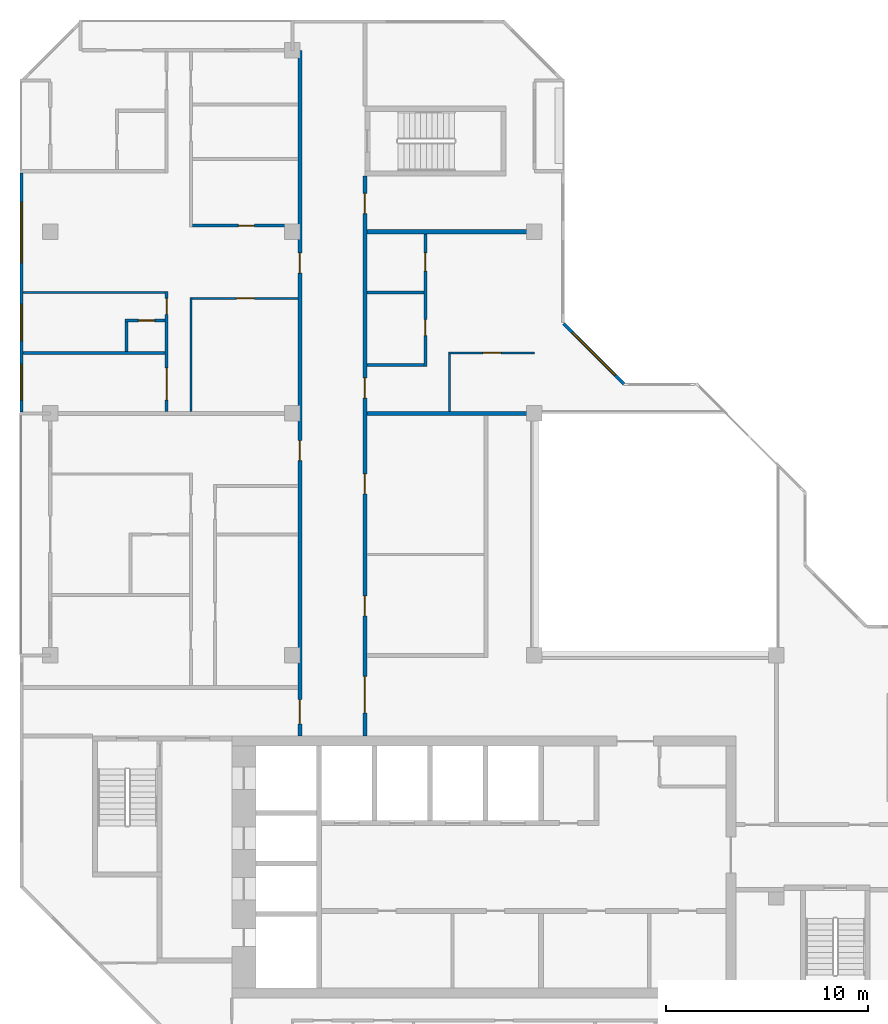
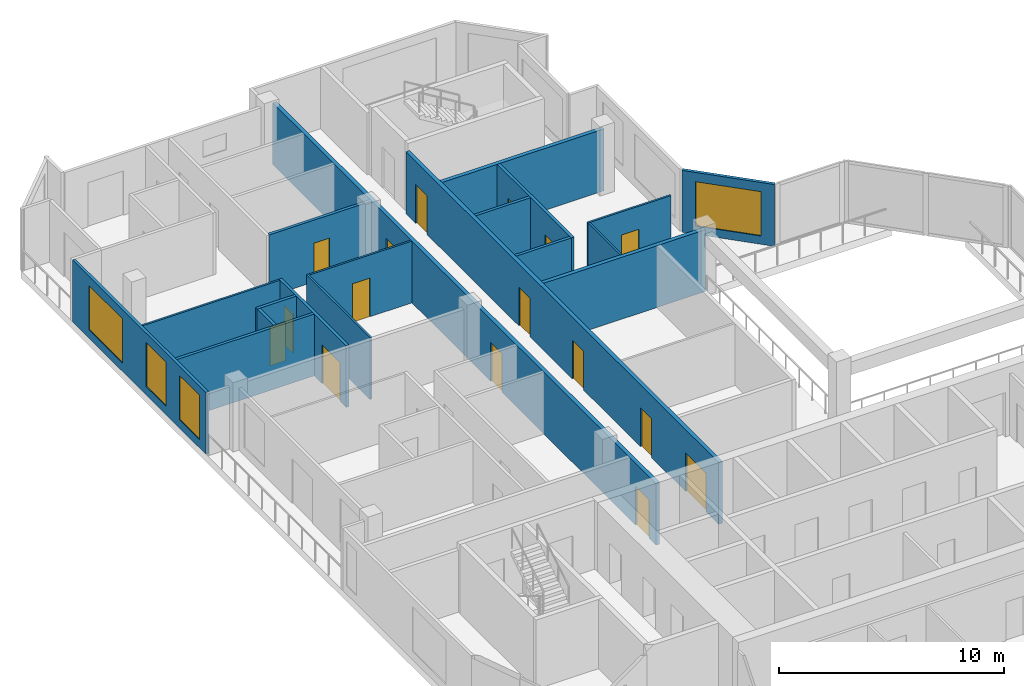
# One storey, part 8 of 12: 19 walls, 16 doors, 4 windows, 20 openings.
"""IFC4 building model written with IfcOpenShell, lengths in metres."""

import ifcopenshell
import ifcopenshell.guid

model = None  # the IFC model being written
_history = None  # IfcOwnerHistory: only IFC2X3 demands one
_inside = {}  # id of a spatial element -> (the spatial element, [elements in it])
_under = {}  # id of a project, library or spatial element -> (it, [spatial elements below it])
_declared = {}  # id of a project -> (the project, [libraries it declares])
_typed = {}  # id of a type object -> (the type object, [elements of that type])
_made_of = {}  # id of a material, layer set ... -> (it, [elements and type objects made of it])


def new_model(schema):
    """Start an empty IFC model of exactly this schema.

    Asked for "IFC4X3", IfcOpenShell would pick the latest addendum, in which some entities
    have other attributes; the version numbers below select the first issue.
    IFC2X3 requires an IfcOwnerHistory on every rooted entity: one is made here for all.
    """
    global model, _history
    if schema == "IFC4X3":
        model = ifcopenshell.file(schema_version=(4, 3, 0, 0))
    else:
        model = ifcopenshell.file(schema=schema)
    _inside.clear()
    _under.clear()
    _declared.clear()
    _typed.clear()
    _made_of.clear()
    _history = None
    if model.schema == "IFC2X3":
        org = make("IfcOrganization", Name="unknown")
        user = make(
            "IfcPersonAndOrganization",
            ThePerson=make("IfcPerson", FamilyName="unknown"),
            TheOrganization=org,
        )
        app = make(
            "IfcApplication",
            ApplicationDeveloper=org,
            Version="unknown",
            ApplicationFullName="unknown",
            ApplicationIdentifier="unknown",
        )
        _history = make(
            "IfcOwnerHistory",
            OwningUser=user,
            OwningApplication=app,
            ChangeAction="ADDED",
            CreationDate=0,
        )
    return model


def make(cls, **values):
    """One entity of the class cls with the attributes given. An attribute that is None is left unset."""
    return model.create_entity(
        cls, **{name: value for name, value in values.items() if value is not None}
    )


def rooted(cls, **values):
    """An entity with a GlobalId (a new one), such as an element, a storey or a relation."""
    return make(cls, GlobalId=ifcopenshell.guid.new(), OwnerHistory=_history, **values)


def si_unit(unit_type, name, prefix=None):
    """IfcSIUnit, for example si_unit("LENGTHUNIT", "METRE", prefix="MILLI")."""
    return make("IfcSIUnit", UnitType=unit_type, Prefix=prefix, Name=name)


def assignment(units):
    """IfcUnitAssignment: the units of a project."""
    return None if units is None else make("IfcUnitAssignment", Units=units)


def point(xyz):
    """IfcCartesianPoint."""
    return None if xyz is None else make("IfcCartesianPoint", Coordinates=xyz)


def direction(xyz):
    """IfcDirection."""
    return None if xyz is None else make("IfcDirection", DirectionRatios=xyz)


def frame(location, z_axis=None, x_axis=None):
    """IfcAxis2Placement3D, a coordinate frame: its origin and axes. An axis left out is left unset."""
    return make(
        "IfcAxis2Placement3D",
        Location=point(location),
        Axis=direction(z_axis),
        RefDirection=direction(x_axis),
    )


def frame_2d(location, x_axis=None):
    """IfcAxis2Placement2D, a coordinate frame in the plane: its origin and x axis."""
    return make(
        "IfcAxis2Placement2D", Location=point(location), RefDirection=direction(x_axis)
    )


def origin():
    """The frame at (0, 0, 0) with its axes left unset."""
    return frame((0.0, 0.0, 0.0))


def place(relative_to, where):
    """IfcLocalPlacement: puts the frame where relative to a parent placement (None: the world)."""
    return make(
        "IfcLocalPlacement", PlacementRelTo=relative_to, RelativePlacement=where
    )


def context(
    kind, dimensions, precision=None, world=None, true_north=None, identifier=None
):
    """IfcGeometricRepresentationContext, for example the 3D "Model" context."""
    return make(
        "IfcGeometricRepresentationContext",
        ContextIdentifier=identifier,
        ContextType=kind,
        CoordinateSpaceDimension=dimensions,
        Precision=precision,
        WorldCoordinateSystem=world,
        TrueNorth=true_north,
    )


def subcontext(parent, identifier, kind, view, scale=None):
    """IfcGeometricRepresentationSubContext, for example "Body" below "Model"."""
    return make(
        "IfcGeometricRepresentationSubContext",
        ContextIdentifier=identifier,
        ContextType=kind,
        ParentContext=parent,
        TargetScale=scale,
        TargetView=view,
    )


def project(units=None, contexts=None):
    """IfcProject with its units and contexts."""
    return rooted(
        "IfcProject",
        Name="project",
        RepresentationContexts=contexts,
        UnitsInContext=assignment(units),
    )


def spatial(cls, under=None, at=None, **own):
    """A site, building, storey or space (cls), placed at a placement, below another one or the project."""
    s = rooted(cls, ObjectPlacement=at, **own)
    if under is not None:
        _under.setdefault(under.id(), (under, []))[1].append(s)
    return s


def profile(cls, at=None, kind="AREA", **sizes):
    """A parametric profile (cls). Its sizes go by their IFC names, for example OverallWidth=200.0."""
    return make(cls, ProfileType=kind, Position=at, **sizes)


def rectangle(**sizes):
    """IfcRectangleProfileDef."""
    return profile("IfcRectangleProfileDef", **sizes)


def extrude(swept, where, along, depth):
    """IfcExtrudedAreaSolid: the profile swept, set in the frame where, extruded along a direction by depth."""
    return make(
        "IfcExtrudedAreaSolid",
        SweptArea=swept,
        Position=where,
        ExtrudedDirection=direction(along),
        Depth=depth,
    )


def shape(context_of_items, identifier, shape_type, items):
    """IfcShapeRepresentation: the items that make up one representation, for example the "Body"."""
    return make(
        "IfcShapeRepresentation",
        ContextOfItems=context_of_items,
        RepresentationIdentifier=identifier,
        RepresentationType=shape_type,
        Items=items,
    )


def material(Name=None, Category=None):
    """IfcMaterial."""
    return make("IfcMaterial", Name=Name, Category=Category)


def layer(
    of_material, thickness, ventilated=None, Name=None, Category=None, Priority=None
):
    """IfcMaterialLayer: one layer of a wall or slab, of a material (None: an air gap)."""
    return make(
        "IfcMaterialLayer",
        Material=of_material,
        LayerThickness=thickness,
        IsVentilated=ventilated,
        Name=Name,
        Category=Category,
        Priority=Priority,
    )


def layer_set(layers, Name=None):
    """IfcMaterialLayerSet."""
    return make("IfcMaterialLayerSet", MaterialLayers=layers, LayerSetName=Name)


def made_of(thing, what):
    """Note that an element or type object is made of a material, layer set ...; save() writes the relation."""
    if what is not None:
        _made_of.setdefault(what.id(), (what, []))[1].append(thing)
    return thing


def type_object(cls, material=None, **own):
    """A type object (cls), such as IfcWallType, which elements share."""
    return made_of(rooted(cls, **own), material)


def element(
    cls,
    number,
    at=None,
    inside=None,
    cuts=None,
    type_object=None,
    material=None,
    context=None,
    identifier="Body",
    shape_type=None,
    held_by="IfcProductDefinitionShape",
    body=None,
    shapes=None,
    **own,
):
    """One element of the class cls, such as IfcWall. Its Tag is "e" and its number.

    at: its placement. inside: the storey or other place that contains it. cuts: it is an
    opening in that element (IfcRelVoidsElement). A single representation is given by context,
    identifier, shape_type and body (its items); several are given by shapes. held_by: the class
    of the entity that holds the representations. save() writes the other relations.
    """
    e = rooted(cls, Tag="e%d" % number, ObjectPlacement=at, **own)
    if body is not None:
        shapes = [shape(context, identifier, shape_type, body)]
    if shapes is not None:
        e.Representation = make(held_by, Representations=shapes)
    if inside is not None:
        _inside.setdefault(inside.id(), (inside, []))[1].append(e)
    if cuts is not None:
        rooted(
            "IfcRelVoidsElement", RelatingBuildingElement=cuts, RelatedOpeningElement=e
        )
    if type_object is not None:
        _typed.setdefault(type_object.id(), (type_object, []))[1].append(e)
    return made_of(e, material)


def fill(opening, filler):
    """IfcRelFillsElement: the door or window that sits in an opening."""
    return rooted(
        "IfcRelFillsElement",
        RelatingOpeningElement=opening,
        RelatedBuildingElement=filler,
    )


def aggregate(whole, parts):
    """IfcRelAggregates: a whole, such as a stair, and the parts it consists of."""
    return rooted("IfcRelAggregates", RelatingObject=whole, RelatedObjects=parts)


def save(model, path):
    """Write the relations noted so far, then the file.

    IfcRelAggregates (storeys below a building ...), IfcRelContainedInSpatialStructure (elements
    in a storey), IfcRelDefinesByType, IfcRelAssociatesMaterial and IfcRelDeclares: one each for
    every whole, place, type object, material and project.
    """
    for whole, parts in _under.values():
        aggregate(whole, parts)
    for where, things in _inside.values():
        rooted(
            "IfcRelContainedInSpatialStructure",
            RelatedElements=things,
            RelatingStructure=where,
        )
    for kind, things in _typed.values():
        rooted("IfcRelDefinesByType", RelatedObjects=things, RelatingType=kind)
    for what, things in _made_of.values():
        rooted("IfcRelAssociatesMaterial", RelatedObjects=things, RelatingMaterial=what)
    for by, libraries in _declared.values():
        rooted("IfcRelDeclares", RelatingContext=by, RelatedDefinitions=libraries)
    model.write(path)


model = new_model("IFC4")

# Units and contexts
model_context = context("Model", 3, precision=1e-05, world=origin(), true_north=direction((0.0, 1.0)))
body_context = subcontext(model_context, "Body", "Model", "MODEL_VIEW")
ifc_project = project(units=[si_unit("LENGTHUNIT", "METRE"), si_unit("AREAUNIT", "SQUARE_METRE"), si_unit("VOLUMEUNIT", "CUBIC_METRE"), si_unit("PLANEANGLEUNIT", "RADIAN"), si_unit("MASSUNIT", "GRAM", prefix="KILO")], contexts=[model_context])

# Site, building, storey
site_placement = place(None, origin())
site = spatial("IfcSite", under=ifc_project, at=site_placement, CompositionType="ELEMENT")
building_placement = place(site_placement, origin())
building = spatial("IfcBuilding", under=site, at=building_placement, Name="Chenar Terraces", CompositionType="ELEMENT")
storey_placement = place(building_placement, frame((0.0, 0.0, 357.64990234375)))
storey = spatial("IfcBuildingStorey", under=building, at=storey_placement, Name="L83", CompositionType="ELEMENT", Elevation=357.64990234375)

# Wall, openings, doors
ifc_material_1 = material(Name="Gypsum board on steel studs with fire boards", Category="steel")
ifc_layer_1 = layer(ifc_material_1, 0.199951171875)
ifc_layer_set_1 = layer_set([ifc_layer_1], Name="Gypsum board on steel studs with fire boards")
wall_type_1 = type_object("IfcWallType", Name="Corridor wall 200", PredefinedType="PARTITIONING", material=ifc_layer_set_1)
wall_1_placement = place(storey_placement, frame((12.375, 20.0, 0.0), z_axis=(0.0, 0.0, 1.0), x_axis=(0.0, 1.0, 0.0)))
wall_1 = element("IfcWall", 1, at=wall_1_placement, inside=storey, type_object=wall_type_1, Name="Partition L83-032", PredefinedType="PARTITIONING", context=body_context, shape_type="SweptSolid", body=[
    extrude(rectangle(XDim=34.0, YDim=0.199951171875, at=frame_2d((17.0, 0.0))), origin(), (0.0, 0.0, 1.0), 3.35009765625),
])
opening_1_placement = place(wall_1_placement, frame((22.949951171875, 0.0, 0.0)))
opening_1 = element("IfcOpeningElement", 2, at=opening_1_placement, cuts=wall_1, Name="Opening DL83-13", PredefinedType="OPENING", context=body_context, shape_type="SweptSolid", body=[
    extrude(rectangle(XDim=1.0, YDim=2.10009765625, at=frame_2d((0.5, 1.050048828125))), frame((0.0, 0.10986328125, 0.0), z_axis=(0.0, -1.0, 0.0), x_axis=(1.0, 0.0, 0.0)), (0.0, 0.0, 1.0), 0.219970703125),
])
opening_2_placement = place(wall_1_placement, frame((0.60009765625, 0.0, 0.0)))
opening_2 = element("IfcOpeningElement", 3, at=opening_2_placement, cuts=wall_1, Name="Opening DL83-20", PredefinedType="OPENING", context=body_context, shape_type="SweptSolid", body=[
    extrude(rectangle(XDim=1.199951171875, YDim=2.10009765625, at=frame_2d((0.60009765625, 1.050048828125))), frame((0.0, 0.10986328125, 0.0), z_axis=(0.0, -1.0, 0.0), x_axis=(1.0, 0.0, 0.0)), (0.0, 0.0, 1.0), 0.219970703125),
])
opening_3_placement = place(wall_1_placement, frame((13.64990234375, 0.0, 0.0)))
opening_3 = element("IfcOpeningElement", 4, at=opening_3_placement, cuts=wall_1, Name="Opening DL83-44", PredefinedType="OPENING", context=body_context, shape_type="SweptSolid", body=[
    extrude(rectangle(XDim=1.0, YDim=2.10009765625, at=frame_2d((0.5, 1.050048828125))), frame((0.0, 0.10986328125, 0.0), z_axis=(0.0, -1.0, 0.0), x_axis=(1.0, 0.0, 0.0)), (0.0, 0.0, 1.0), 0.219970703125),
])
ifc_material_2 = material(Name="Steel-framed fire-resisting door leaf", Category="steel")
door_type_1 = type_object("IfcDoorType", Name="Fire door FD30S 1000 x 2100", OperationType="SINGLE_SWING_LEFT", PredefinedType="DOOR", material=ifc_material_2)
door_1_placement = place(opening_1_placement, origin())
door_1 = element("IfcDoor", 5, at=door_1_placement, inside=storey, type_object=door_type_1, Name="Door DL83-13", OperationType="SINGLE_SWING_RIGHT", OverallHeight=2.10009765625, OverallWidth=1.0, PredefinedType="DOOR", context=body_context, shape_type="SweptSolid", body=[
    extrude(rectangle(XDim=1.0, YDim=2.10009765625, at=frame_2d((0.5, 1.050048828125))), frame((0.0, 0.02490234375, 0.0), z_axis=(0.0, -1.0, 0.0), x_axis=(1.0, 0.0, 0.0)), (0.0, 0.0, 1.0), 0.050048828125),
])
fill(opening_1, door_1)
door_2_placement = place(opening_3_placement, origin())
door_2 = element("IfcDoor", 6, at=door_2_placement, inside=storey, type_object=door_type_1, Name="Door DL83-44", OperationType="SINGLE_SWING_RIGHT", OverallHeight=2.10009765625, OverallWidth=1.0, PredefinedType="DOOR", context=body_context, shape_type="SweptSolid", body=[
    extrude(rectangle(XDim=1.0, YDim=2.10009765625, at=frame_2d((0.5, 1.050048828125))), frame((0.0, 0.02490234375, 0.0), z_axis=(0.0, -1.0, 0.0), x_axis=(1.0, 0.0, 0.0)), (0.0, 0.0, 1.0), 0.050048828125),
])
fill(opening_3, door_2)
ifc_material_3 = material(Name="Steel-framed fire-resisting door leaf", Category="steel")
door_type_2 = type_object("IfcDoorType", Name="Fire door FD30S 1200 x 2100", OperationType="SINGLE_SWING_LEFT", PredefinedType="DOOR", material=ifc_material_3)
door_3_placement = place(opening_2_placement, origin())
door_3 = element("IfcDoor", 7, at=door_3_placement, inside=storey, type_object=door_type_2, Name="Door DL83-20", OperationType="SINGLE_SWING_RIGHT", OverallHeight=2.10009765625, OverallWidth=1.199951171875, PredefinedType="DOOR", context=body_context, shape_type="SweptSolid", body=[
    extrude(rectangle(XDim=1.199951171875, YDim=2.10009765625, at=frame_2d((0.60009765625, 1.050048828125))), frame((0.0, 0.02490234375, 0.0), z_axis=(0.0, -1.0, 0.0), x_axis=(1.0, 0.0, 0.0)), (0.0, 0.0, 1.0), 0.050048828125),
])
fill(opening_2, door_3)

wall_2_placement = place(storey_placement, frame((15.60009765625, 20.0, 0.0), z_axis=(0.0, 0.0, 1.0), x_axis=(0.0, 1.0, 0.0)))
wall_2 = element("IfcWall", 8, at=wall_2_placement, inside=storey, type_object=wall_type_1, Name="Partition L83-034", PredefinedType="PARTITIONING", context=body_context, shape_type="SweptSolid", body=[
    extrude(rectangle(XDim=27.77490234375, YDim=0.199951171875, at=frame_2d((13.887451171875, 0.0))), origin(), (0.0, 0.0, 1.0), 3.35009765625),
])
opening_4_placement = place(wall_2_placement, frame((5.949951171875, 0.0, 0.0)))
opening_4 = element("IfcOpeningElement", 9, at=opening_4_placement, cuts=wall_2, Name="Opening DL83-1", PredefinedType="OPENING", context=body_context, shape_type="SweptSolid", body=[
    extrude(rectangle(XDim=1.0, YDim=2.10009765625, at=frame_2d((0.5, 1.050048828125))), frame((0.0, 0.10986328125, 0.0), z_axis=(0.0, -1.0, 0.0), x_axis=(1.0, 0.0, 0.0)), (0.0, 0.0, 1.0), 0.219970703125),
])
opening_5_placement = place(wall_2_placement, frame((12.0, 0.0, 0.0)))
opening_5 = element("IfcOpeningElement", 10, at=opening_5_placement, cuts=wall_2, Name="Opening DL83-2", PredefinedType="OPENING", context=body_context, shape_type="SweptSolid", body=[
    extrude(rectangle(XDim=1.0, YDim=2.10009765625, at=frame_2d((0.5, 1.050048828125))), frame((0.0, 0.10986328125, 0.0), z_axis=(0.0, -1.0, 0.0), x_axis=(1.0, 0.0, 0.0)), (0.0, 0.0, 1.0), 0.219970703125),
])
opening_6_placement = place(wall_2_placement, frame((16.75, 0.0, 0.0)))
opening_6 = element("IfcOpeningElement", 11, at=opening_6_placement, cuts=wall_2, Name="Opening DL83-7", PredefinedType="OPENING", context=body_context, shape_type="SweptSolid", body=[
    extrude(rectangle(XDim=1.0, YDim=2.10009765625, at=frame_2d((0.5, 1.050048828125))), frame((0.0, 0.10986328125, 0.0), z_axis=(0.0, -1.0, 0.0), x_axis=(1.0, 0.0, 0.0)), (0.0, 0.0, 1.0), 0.219970703125),
])
opening_7_placement = place(wall_2_placement, frame((1.14990234375, 0.0, 0.0)))
opening_7 = element("IfcOpeningElement", 12, at=opening_7_placement, cuts=wall_2, Name="Opening DL83-19", PredefinedType="OPENING", context=body_context, shape_type="SweptSolid", body=[
    extrude(rectangle(XDim=1.800048828125, YDim=2.10009765625, at=frame_2d((0.89990234375, 1.050048828125))), frame((0.0, 0.10986328125, 0.0), z_axis=(0.0, -1.0, 0.0), x_axis=(1.0, 0.0, 0.0)), (0.0, 0.0, 1.0), 0.219970703125),
])
opening_8_placement = place(wall_2_placement, frame((25.89990234375, 0.0, 0.0)))
opening_8 = element("IfcOpeningElement", 13, at=opening_8_placement, cuts=wall_2, Name="Opening DL83-22", PredefinedType="OPENING", context=body_context, shape_type="SweptSolid", body=[
    extrude(rectangle(XDim=1.0, YDim=2.10009765625, at=frame_2d((0.5, 1.050048828125))), frame((0.0, 0.10986328125, 0.0), z_axis=(0.0, -1.0, 0.0), x_axis=(1.0, 0.0, 0.0)), (0.0, 0.0, 1.0), 0.219970703125),
])
ifc_material_4 = material(Name="Steel-framed fire-resisting door leaf", Category="steel")
door_type_3 = type_object("IfcDoorType", Name="Fire door FD60 1000 x 2100", OperationType="SINGLE_SWING_LEFT", PredefinedType="DOOR", material=ifc_material_4)
door_4_placement = place(opening_4_placement, frame((1.0, 0.0, 0.0), z_axis=(0.0, 0.0, 1.0), x_axis=(-1.0, 0.0, 0.0)))
door_4 = element("IfcDoor", 14, at=door_4_placement, inside=storey, type_object=door_type_3, Name="Door DL83-1", OperationType="SINGLE_SWING_LEFT", OverallHeight=2.10009765625, OverallWidth=1.0, PredefinedType="DOOR", context=body_context, shape_type="SweptSolid", body=[
    extrude(rectangle(XDim=1.0, YDim=2.10009765625, at=frame_2d((0.5, 1.050048828125))), frame((0.0, 0.02490234375, 0.0), z_axis=(0.0, -1.0, 0.0), x_axis=(1.0, 0.0, 0.0)), (0.0, 0.0, 1.0), 0.050048828125),
])
fill(opening_4, door_4)
door_5_placement = place(opening_5_placement, frame((1.0, 0.0, 0.0), z_axis=(0.0, 0.0, 1.0), x_axis=(-1.0, 0.0, 0.0)))
door_5 = element("IfcDoor", 15, at=door_5_placement, inside=storey, type_object=door_type_3, Name="Door DL83-2", OperationType="SINGLE_SWING_LEFT", OverallHeight=2.10009765625, OverallWidth=1.0, PredefinedType="DOOR", context=body_context, shape_type="SweptSolid", body=[
    extrude(rectangle(XDim=1.0, YDim=2.10009765625, at=frame_2d((0.5, 1.050048828125))), frame((0.0, 0.02490234375, 0.0), z_axis=(0.0, -1.0, 0.0), x_axis=(1.0, 0.0, 0.0)), (0.0, 0.0, 1.0), 0.050048828125),
])
fill(opening_5, door_5)
door_6_placement = place(opening_6_placement, frame((1.0, 0.0, 0.0), z_axis=(0.0, 0.0, 1.0), x_axis=(-1.0, 0.0, 0.0)))
door_6 = element("IfcDoor", 16, at=door_6_placement, inside=storey, type_object=door_type_3, Name="Door DL83-7", OperationType="SINGLE_SWING_LEFT", OverallHeight=2.10009765625, OverallWidth=1.0, PredefinedType="DOOR", context=body_context, shape_type="SweptSolid", body=[
    extrude(rectangle(XDim=1.0, YDim=2.10009765625, at=frame_2d((0.5, 1.050048828125))), frame((0.0, 0.02490234375, 0.0), z_axis=(0.0, -1.0, 0.0), x_axis=(1.0, 0.0, 0.0)), (0.0, 0.0, 1.0), 0.050048828125),
])
fill(opening_6, door_6)
door_7_placement = place(opening_8_placement, frame((1.0, 0.0, 0.0), z_axis=(0.0, 0.0, 1.0), x_axis=(-1.0, 0.0, 0.0)))
door_7 = element("IfcDoor", 17, at=door_7_placement, inside=storey, type_object=door_type_3, Name="Door DL83-22", OperationType="SINGLE_SWING_RIGHT", OverallHeight=2.10009765625, OverallWidth=1.0, PredefinedType="DOOR", context=body_context, shape_type="SweptSolid", body=[
    extrude(rectangle(XDim=1.0, YDim=2.10009765625, at=frame_2d((0.5, 1.050048828125))), frame((0.0, 0.02490234375, 0.0), z_axis=(0.0, -1.0, 0.0), x_axis=(1.0, 0.0, 0.0)), (0.0, 0.0, 1.0), 0.050048828125),
])
fill(opening_8, door_7)
ifc_material_5 = material(Name="Steel-framed fire-resisting door leaf", Category="steel")
door_type_4 = type_object("IfcDoorType", Name="Fire double door FD60 1800 x 2100", OperationType="DOUBLE_DOOR_SINGLE_SWING", PredefinedType="DOOR", material=ifc_material_5)
door_8_placement = place(opening_7_placement, frame((1.800048828125, 0.0, 0.0), z_axis=(0.0, 0.0, 1.0), x_axis=(-1.0, 0.0, 0.0)))
door_8 = element("IfcDoor", 18, at=door_8_placement, inside=storey, type_object=door_type_4, Name="Door DL83-19", OperationType="DOUBLE_DOOR_SINGLE_SWING", OverallHeight=2.10009765625, OverallWidth=1.800048828125, PredefinedType="DOOR", context=body_context, shape_type="SweptSolid", body=[
    extrude(rectangle(XDim=1.800048828125, YDim=2.10009765625, at=frame_2d((0.89990234375, 1.050048828125))), frame((0.0, 0.02490234375, 0.0), z_axis=(0.0, -1.0, 0.0), x_axis=(1.0, 0.0, 0.0)), (0.0, 0.0, 1.0), 0.050048828125),
])
fill(opening_7, door_8)

# Wall, openings, windows
ifc_material_6 = material(Name="Aluminium framed glazing", Category="aluminium")
ifc_layer_2 = layer(ifc_material_6, 0.14990234375)
ifc_layer_set_2 = layer_set([ifc_layer_2], Name="Aluminium framed glazing")
wall_type_2 = type_object("IfcWallType", Name="Glazed flush facade wall 150", PredefinedType="SOLIDWALL", material=ifc_layer_set_2)
wall_3_placement = place(storey_placement, frame((-1.425048828125, 47.925048828125, 0.0), z_axis=(0.0, 0.0, 1.0), x_axis=(0.0, -1.0, 0.0)))
wall_3 = element("IfcWall", 19, at=wall_3_placement, inside=storey, type_object=wall_type_2, Name="Glazed flush facade wall", PredefinedType="SOLIDWALL", context=body_context, shape_type="SweptSolid", body=[
    extrude(rectangle(XDim=11.85009765625, YDim=0.14990234375, at=frame_2d((5.925048828125, 0.0))), origin(), (0.0, 0.0, 1.0), 3.35009765625),
])
opening_9_placement = place(wall_3_placement, frame((1.46240234375, 0.0, 0.449951171875)))
opening_9 = element("IfcOpeningElement", 20, at=opening_9_placement, cuts=wall_3, Name="Opening W300x240", PredefinedType="OPENING", context=body_context, shape_type="SweptSolid", body=[
    extrude(rectangle(XDim=3.0, YDim=2.39990234375, at=frame_2d((1.5, 1.199951171875))), frame((0.0, 0.0849609375, 0.0), z_axis=(0.0, -1.0, 0.0), x_axis=(1.0, 0.0, 0.0)), (0.0, 0.0, 1.0), 0.169921875),
])
opening_10_placement = place(wall_3_placement, frame((6.52490234375, 0.0, 0.449951171875)))
opening_10 = element("IfcOpeningElement", 21, at=opening_10_placement, cuts=wall_3, Name="Opening W180x240", PredefinedType="OPENING", context=body_context, shape_type="SweptSolid", body=[
    extrude(rectangle(XDim=1.800048828125, YDim=2.39990234375, at=frame_2d((0.89990234375, 1.199951171875))), frame((0.0, 0.0849609375, 0.0), z_axis=(0.0, -1.0, 0.0), x_axis=(1.0, 0.0, 0.0)), (0.0, 0.0, 1.0), 0.169921875),
])
opening_11_placement = place(wall_3_placement, frame((9.487548828125, 0.0, 0.449951171875)))
opening_11 = element("IfcOpeningElement", 22, at=opening_11_placement, cuts=wall_3, Name="Opening W180x240", PredefinedType="OPENING", context=body_context, shape_type="SweptSolid", body=[
    extrude(rectangle(XDim=1.800048828125, YDim=2.39990234375, at=frame_2d((0.89990234375, 1.199951171875))), frame((0.0, 0.0849609375, 0.0), z_axis=(0.0, -1.0, 0.0), x_axis=(1.0, 0.0, 0.0)), (0.0, 0.0, 1.0), 0.169921875),
])
ifc_material_7 = material(Name="Low emissivity double glazing, aluminium frame", Category="aluminium")
window_type_1 = type_object("IfcWindowType", Name="Fixed light 1800 x 2400", PartitioningType="SINGLE_PANEL", PredefinedType="WINDOW", material=ifc_material_7)
window_1_placement = place(opening_10_placement, origin())
window_1 = element("IfcWindow", 23, at=window_1_placement, inside=storey, type_object=window_type_1, Name="Window", OverallHeight=2.39990234375, OverallWidth=1.800048828125, PartitioningType="SINGLE_PANEL", PredefinedType="WINDOW", context=body_context, shape_type="SweptSolid", body=[
    extrude(rectangle(XDim=1.800048828125, YDim=2.39990234375, at=frame_2d((0.89990234375, 1.199951171875))), frame((0.0, 0.030029296875, 0.0), z_axis=(0.0, -1.0, 0.0), x_axis=(1.0, 0.0, 0.0)), (0.0, 0.0, 1.0), 0.06005859375),
])
fill(opening_10, window_1)
window_2_placement = place(opening_11_placement, origin())
window_2 = element("IfcWindow", 24, at=window_2_placement, inside=storey, type_object=window_type_1, Name="Window", OverallHeight=2.39990234375, OverallWidth=1.800048828125, PartitioningType="SINGLE_PANEL", PredefinedType="WINDOW", context=body_context, shape_type="SweptSolid", body=[
    extrude(rectangle(XDim=1.800048828125, YDim=2.39990234375, at=frame_2d((0.89990234375, 1.199951171875))), frame((0.0, 0.030029296875, 0.0), z_axis=(0.0, -1.0, 0.0), x_axis=(1.0, 0.0, 0.0)), (0.0, 0.0, 1.0), 0.06005859375),
])
fill(opening_11, window_2)
ifc_material_8 = material(Name="Low emissivity double glazing, aluminium frame", Category="aluminium")
window_type_2 = type_object("IfcWindowType", Name="Fixed light 3000 x 2400", PartitioningType="SINGLE_PANEL", PredefinedType="WINDOW", material=ifc_material_8)
window_3_placement = place(opening_9_placement, origin())
window_3 = element("IfcWindow", 25, at=window_3_placement, inside=storey, type_object=window_type_2, Name="Window", OverallHeight=2.39990234375, OverallWidth=3.0, PartitioningType="SINGLE_PANEL", PredefinedType="WINDOW", context=body_context, shape_type="SweptSolid", body=[
    extrude(rectangle(XDim=3.0, YDim=2.39990234375, at=frame_2d((1.5, 1.199951171875))), frame((0.0, 0.030029296875, 0.0), z_axis=(0.0, -1.0, 0.0), x_axis=(1.0, 0.0, 0.0)), (0.0, 0.0, 1.0), 0.06005859375),
])
fill(opening_9, window_3)

# Walls
ifc_material_9 = material(Name="Gypsum board on steel studs", Category="steel")
ifc_layer_3 = layer(ifc_material_9, 0.10009765625)
ifc_layer_set_3 = layer_set([ifc_layer_3], Name="Gypsum board on steel studs")
wall_type_3 = type_object("IfcWallType", Name="Gypsum partition 100", PredefinedType="PARTITIONING", material=ifc_layer_set_3)
wall_4_placement = place(storey_placement, frame((-1.35009765625, 42.0, 0.0), z_axis=(0.0, 0.0, 1.0), x_axis=(1.0, 0.0, 0.0)))
element("IfcWall", 26, at=wall_4_placement, inside=storey, type_object=wall_type_3, Name="Partition L83-005", PredefinedType="PARTITIONING", context=body_context, shape_type="SweptSolid", body=[
    extrude(rectangle(XDim=7.050048828125, YDim=0.10009765625, at=frame_2d((3.52490234375, 0.0))), origin(), (0.0, 0.0, 1.0), 3.35009765625),
])
wall_5_placement = place(storey_placement, frame((6.97509765625, 36.10009765625, 0.0), z_axis=(0.0, 0.0, 1.0), x_axis=(0.0, 1.0, 0.0)))
element("IfcWall", 27, at=wall_5_placement, inside=storey, type_object=wall_type_3, Name="Partition L83-019", PredefinedType="PARTITIONING", context=body_context, shape_type="SweptSolid", body=[
    extrude(rectangle(XDim=5.64990234375, YDim=0.10009765625, at=frame_2d((2.824951171875, 0.0))), origin(), (0.0, 0.0, 1.0), 3.35009765625),
])

# Wall, opening, door
wall_6_placement = place(storey_placement, frame((7.02490234375, 41.699951171875, 0.0), z_axis=(0.0, 0.0, 1.0), x_axis=(1.0, 0.0, 0.0)))
wall_6 = element("IfcWall", 28, at=wall_6_placement, inside=storey, type_object=wall_type_3, Name="Partition L83-021", PredefinedType="PARTITIONING", context=body_context, shape_type="SweptSolid", body=[
    extrude(rectangle(XDim=5.25, YDim=0.10009765625, at=frame_2d((2.625, 0.0))), origin(), (0.0, 0.0, 1.0), 3.35009765625),
])
opening_12_placement = place(wall_6_placement, frame((2.199951171875, 0.0, 0.0)))
opening_12 = element("IfcOpeningElement", 29, at=opening_12_placement, cuts=wall_6, Name="Opening DL83-11", PredefinedType="OPENING", context=body_context, shape_type="SweptSolid", body=[
    extrude(rectangle(XDim=0.89990234375, YDim=2.10009765625, at=frame_2d((0.449951171875, 1.050048828125))), frame((0.0, 0.06005859375, 0.0), z_axis=(0.0, -1.0, 0.0), x_axis=(1.0, 0.0, 0.0)), (0.0, 0.0, 1.0), 0.1201171875),
])
ifc_material_10 = material(Name="Veneered timber door leaf", Category="wood")
door_type_5 = type_object("IfcDoorType", Name="Door 900 x 2100", OperationType="SINGLE_SWING_LEFT", PredefinedType="DOOR", material=ifc_material_10)
door_9_placement = place(opening_12_placement, frame((0.89990234375, 0.0, 0.0), z_axis=(0.0, 0.0, 1.0), x_axis=(-1.0, 0.0, 0.0)))
door_9 = element("IfcDoor", 30, at=door_9_placement, inside=storey, type_object=door_type_5, Name="Door DL83-11", OperationType="SINGLE_SWING_LEFT", OverallHeight=2.10009765625, OverallWidth=0.89990234375, PredefinedType="DOOR", context=body_context, shape_type="SweptSolid", body=[
    extrude(rectangle(XDim=0.89990234375, YDim=2.10009765625, at=frame_2d((0.449951171875, 1.050048828125))), frame((0.0, 0.02490234375, 0.0), z_axis=(0.0, -1.0, 0.0), x_axis=(1.0, 0.0, 0.0)), (0.0, 0.0, 1.0), 0.050048828125),
])
fill(opening_12, door_9)

wall_7_placement = place(storey_placement, frame((19.75, 39.0, 0.0), z_axis=(0.0, 0.0, 1.0), x_axis=(1.0, 0.0, 0.0)))
wall_7 = element("IfcWall", 31, at=wall_7_placement, inside=storey, type_object=wall_type_3, Name="Partition L83-044", PredefinedType="PARTITIONING", context=body_context, shape_type="SweptSolid", body=[
    extrude(rectangle(XDim=4.25, YDim=0.10009765625, at=frame_2d((2.125, 0.0))), origin(), (0.0, 0.0, 1.0), 3.35009765625),
])
opening_13_placement = place(wall_7_placement, frame((1.699951171875, 0.0, 0.0)))
opening_13 = element("IfcOpeningElement", 32, at=opening_13_placement, cuts=wall_7, Name="Opening DL83-5", PredefinedType="OPENING", context=body_context, shape_type="SweptSolid", body=[
    extrude(rectangle(XDim=0.89990234375, YDim=2.10009765625, at=frame_2d((0.449951171875, 1.050048828125))), frame((0.0, 0.06005859375, 0.0), z_axis=(0.0, -1.0, 0.0), x_axis=(1.0, 0.0, 0.0)), (0.0, 0.0, 1.0), 0.1201171875),
])
door_10_placement = place(opening_13_placement, frame((0.89990234375, 0.0, 0.0), z_axis=(0.0, 0.0, 1.0), x_axis=(-1.0, 0.0, 0.0)))
door_10 = element("IfcDoor", 33, at=door_10_placement, inside=storey, type_object=door_type_5, Name="Door DL83-5", OperationType="SINGLE_SWING_RIGHT", OverallHeight=2.10009765625, OverallWidth=0.89990234375, PredefinedType="DOOR", context=body_context, shape_type="SweptSolid", body=[
    extrude(rectangle(XDim=0.89990234375, YDim=2.10009765625, at=frame_2d((0.449951171875, 1.050048828125))), frame((0.0, 0.02490234375, 0.0), z_axis=(0.0, -1.0, 0.0), x_axis=(1.0, 0.0, 0.0)), (0.0, 0.0, 1.0), 0.050048828125),
])
fill(opening_13, door_10)

# Wall
wall_8_placement = place(storey_placement, frame((19.800048828125, 36.10009765625, 0.0), z_axis=(0.0, 0.0, 1.0), x_axis=(0.0, 1.0, 0.0)))
element("IfcWall", 34, at=wall_8_placement, inside=storey, type_object=wall_type_3, Name="Partition L83-045", PredefinedType="PARTITIONING", context=body_context, shape_type="SweptSolid", body=[
    extrude(rectangle(XDim=2.849853515625, YDim=0.10009765625, at=frame_2d((1.4248046875, 0.0))), origin(), (0.0, 0.0, 1.0), 3.35009765625),
])

# Wall, opening, window
ifc_material_11 = material(Name="Terracotta cladding on insulated backing", Category="masonry")
ifc_layer_4 = layer(ifc_material_11, 0.14990234375)
ifc_layer_set_4 = layer_set([ifc_layer_4], Name="Terracotta cladding on insulated backing")
wall_type_4 = type_object("IfcWallType", Name="Terracotta rainscreen wall 150", PredefinedType="SOLIDWALL", material=ifc_layer_set_4)
wall_9_placement = place(storey_placement, frame((28.447021484375, 37.447021484375, 0.0), z_axis=(0.0, 0.0, 1.0), x_axis=(-0.707106781187, 0.707106781187, 0.0)))
wall_9 = element("IfcWall", 35, at=wall_9_placement, inside=storey, type_object=wall_type_4, Name="Terracotta rainscreen wall", PredefinedType="SOLIDWALL", context=body_context, shape_type="SweptSolid", body=[
    extrude(rectangle(XDim=4.24267578125, YDim=0.14990234375, at=frame_2d((2.121337890625, 0.0))), origin(), (0.0, 0.0, 1.0), 3.35009765625),
])
opening_14_placement = place(wall_9_placement, frame((0.621337890625, 0.0, 0.449951171875)))
opening_14 = element("IfcOpeningElement", 36, at=opening_14_placement, cuts=wall_9, Name="Opening W300x240", PredefinedType="OPENING", context=body_context, shape_type="SweptSolid", body=[
    extrude(rectangle(XDim=3.0, YDim=2.39990234375, at=frame_2d((1.5, 1.199951171875))), frame((0.0, 0.0849609375, 0.0), z_axis=(0.0, -1.0, 0.0), x_axis=(1.0, 0.0, 0.0)), (0.0, 0.0, 1.0), 0.169921875),
])
window_4_placement = place(opening_14_placement, origin())
window_4 = element("IfcWindow", 37, at=window_4_placement, inside=storey, type_object=window_type_2, Name="Window", OverallHeight=2.39990234375, OverallWidth=3.0, PartitioningType="SINGLE_PANEL", PredefinedType="WINDOW", context=body_context, shape_type="SweptSolid", body=[
    extrude(rectangle(XDim=3.0, YDim=2.39990234375, at=frame_2d((1.5, 1.199951171875))), frame((0.0, 0.030029296875, 0.0), z_axis=(0.0, -1.0, 0.0), x_axis=(1.0, 0.0, 0.0)), (0.0, 0.0, 1.0), 0.06005859375),
])
fill(opening_14, window_4)

# Walls
ifc_material_12 = material(Name="Twin gypsum board on steel studs with mineral wool", Category="steel")
ifc_layer_5 = layer(ifc_material_12, 0.199951171875)
ifc_layer_set_5 = layer_set([ifc_layer_5], Name="Twin gypsum board on steel studs with mineral wool")
wall_type_5 = type_object("IfcWallType", Name="Unit demising wall 200", PredefinedType="PARTITIONING", material=ifc_layer_set_5)
for number, where, z_axis, x_axis, name in (
    (38, (15.699951171875, 36.0, 0.0), (0.0, 0.0, 1.0), (1.0, 0.0, 0.0), "Partition L83-038"),
    (39, (15.699951171875, 45.0, 0.0), (0.0, 0.0, 1.0), (1.0, 0.0, 0.0), "Partition L83-041"),
):
    element("IfcWall", number, at=place(storey_placement, frame(where, z_axis=z_axis, x_axis=x_axis)), inside=storey, type_object=wall_type_5, Name=name, PredefinedType="PARTITIONING", context=body_context, shape_type="SweptSolid", body=[
        extrude(rectangle(XDim=8.300048828125, YDim=0.199951171875, at=frame_2d((4.14990234375, 0.0))), origin(), (0.0, 0.0, 1.0), 3.35009765625),
    ])
ifc_material_13 = material(Name="Moisture-resistant gypsum board on steel studs", Category="steel")
ifc_layer_6 = layer(ifc_material_13, 0.14990234375)
ifc_layer_set_6 = layer_set([ifc_layer_6], Name="Moisture-resistant gypsum board on steel studs")
wall_type_6 = type_object("IfcWallType", Name="Wet-room partition 150", PredefinedType="PARTITIONING", material=ifc_layer_set_6)
wall_10_placement = place(storey_placement, frame((-1.35107421875, 39.0, 0.0), z_axis=(0.0, 0.0, 1.0), x_axis=(1.0, 0.0, 0.0)))
element("IfcWall", 40, at=wall_10_placement, inside=storey, type_object=wall_type_6, Name="Partition L83-001", PredefinedType="PARTITIONING", context=body_context, shape_type="SweptSolid", body=[
    extrude(rectangle(XDim=7.051025390625, YDim=0.14990234375, at=frame_2d((3.525390625, 0.0))), origin(), (0.0, 0.0, 1.0), 3.35009765625),
])

# Wall, opening, door
wall_11_placement = place(storey_placement, frame((3.699951171875, 40.60009765625, 0.0), z_axis=(0.0, 0.0, 1.0), x_axis=(1.0, 0.0, 0.0)))
wall_11 = element("IfcWall", 41, at=wall_11_placement, inside=storey, type_object=wall_type_6, Name="Partition L83-012", PredefinedType="PARTITIONING", context=body_context, shape_type="SweptSolid", body=[
    extrude(rectangle(XDim=2.0, YDim=0.14990234375, at=frame_2d((1.0, 0.0))), origin(), (0.0, 0.0, 1.0), 3.35009765625),
])
opening_15_placement = place(wall_11_placement, frame((0.675048828125, 0.0, 0.0)))
opening_15 = element("IfcOpeningElement", 42, at=opening_15_placement, cuts=wall_11, Name="Opening DL83-15", PredefinedType="OPENING", context=body_context, shape_type="SweptSolid", body=[
    extrude(rectangle(XDim=0.800048828125, YDim=2.10009765625, at=frame_2d((0.39990234375, 1.050048828125))), frame((0.0, 0.0849609375, 0.0), z_axis=(0.0, -1.0, 0.0), x_axis=(1.0, 0.0, 0.0)), (0.0, 0.0, 1.0), 0.169921875),
])
ifc_material_14 = material(Name="Veneered timber door leaf", Category="wood")
door_type_6 = type_object("IfcDoorType", Name="Door 800 x 2100", OperationType="SINGLE_SWING_LEFT", PredefinedType="DOOR", material=ifc_material_14)
door_11_placement = place(opening_15_placement, frame((0.800048828125, 0.0, 0.0), z_axis=(0.0, 0.0, 1.0), x_axis=(-1.0, 0.0, 0.0)))
door_11 = element("IfcDoor", 43, at=door_11_placement, inside=storey, type_object=door_type_6, Name="Door DL83-15", OperationType="SINGLE_SWING_RIGHT", OverallHeight=2.10009765625, OverallWidth=0.800048828125, PredefinedType="DOOR", context=body_context, shape_type="SweptSolid", body=[
    extrude(rectangle(XDim=0.800048828125, YDim=2.10009765625, at=frame_2d((0.39990234375, 1.050048828125))), frame((0.0, 0.02490234375, 0.0), z_axis=(0.0, -1.0, 0.0), x_axis=(1.0, 0.0, 0.0)), (0.0, 0.0, 1.0), 0.050048828125),
])
fill(opening_15, door_11)

# Wall
wall_12_placement = place(storey_placement, frame((3.77490234375, 39.074951171875, 0.0), z_axis=(0.0, 0.0, 1.0), x_axis=(0.0, 1.0, 0.0)))
element("IfcWall", 44, at=wall_12_placement, inside=storey, type_object=wall_type_6, Name="Partition L83-013", PredefinedType="PARTITIONING", context=body_context, shape_type="SweptSolid", body=[
    extrude(rectangle(XDim=1.449951171875, YDim=0.14990234375, at=frame_2d((0.72509765625, 0.0))), origin(), (0.0, 0.0, 1.0), 3.35009765625),
])

# Wall, openings, doors
wall_13_placement = place(storey_placement, frame((5.77490234375, 36.10009765625, 0.0), z_axis=(0.0, 0.0, 1.0), x_axis=(0.0, 1.0, 0.0)))
wall_13 = element("IfcWall", 45, at=wall_13_placement, inside=storey, type_object=wall_type_6, Name="Partition L83-016", PredefinedType="PARTITIONING", context=body_context, shape_type="SweptSolid", body=[
    extrude(rectangle(XDim=5.949951171875, YDim=0.14990234375, at=frame_2d((2.97509765625, 0.0))), origin(), (0.0, 0.0, 1.0), 3.35009765625),
])
opening_16_placement = place(wall_13_placement, frame((4.800048828125, 0.0, 0.0)))
opening_16 = element("IfcOpeningElement", 46, at=opening_16_placement, cuts=wall_13, Name="Opening DL83-14", PredefinedType="OPENING", context=body_context, shape_type="SweptSolid", body=[
    extrude(rectangle(XDim=0.800048828125, YDim=2.10009765625, at=frame_2d((0.39990234375, 1.050048828125))), frame((0.0, 0.0849609375, 0.0), z_axis=(0.0, -1.0, 0.0), x_axis=(1.0, 0.0, 0.0)), (0.0, 0.0, 1.0), 0.169921875),
])
opening_17_placement = place(wall_13_placement, frame((0.550048828125, 0.0, 0.0)))
opening_17 = element("IfcOpeningElement", 47, at=opening_17_placement, cuts=wall_13, Name="Opening DL83-16", PredefinedType="OPENING", context=body_context, shape_type="SweptSolid", body=[
    extrude(rectangle(XDim=1.60009765625, YDim=2.10009765625, at=frame_2d((0.800048828125, 1.050048828125))), frame((0.0, 0.0849609375, 0.0), z_axis=(0.0, -1.0, 0.0), x_axis=(1.0, 0.0, 0.0)), (0.0, 0.0, 1.0), 0.169921875),
])
door_12_placement = place(opening_16_placement, origin())
door_12 = element("IfcDoor", 48, at=door_12_placement, inside=storey, type_object=door_type_6, Name="Door DL83-14", OperationType="SINGLE_SWING_RIGHT", OverallHeight=2.10009765625, OverallWidth=0.800048828125, PredefinedType="DOOR", context=body_context, shape_type="SweptSolid", body=[
    extrude(rectangle(XDim=0.800048828125, YDim=2.10009765625, at=frame_2d((0.39990234375, 1.050048828125))), frame((0.0, 0.02490234375, 0.0), z_axis=(0.0, -1.0, 0.0), x_axis=(1.0, 0.0, 0.0)), (0.0, 0.0, 1.0), 0.050048828125),
])
fill(opening_16, door_12)
ifc_material_15 = material(Name="Veneered timber door leaf", Category="wood")
door_type_7 = type_object("IfcDoorType", Name="Double door 1600 x 2100", OperationType="DOUBLE_DOOR_SINGLE_SWING", PredefinedType="DOOR", material=ifc_material_15)
door_13_placement = place(opening_17_placement, origin())
door_13 = element("IfcDoor", 49, at=door_13_placement, inside=storey, type_object=door_type_7, Name="Door DL83-16", OperationType="DOUBLE_DOOR_SINGLE_SWING", OverallHeight=2.10009765625, OverallWidth=1.60009765625, PredefinedType="DOOR", context=body_context, shape_type="SweptSolid", body=[
    extrude(rectangle(XDim=1.60009765625, YDim=2.10009765625, at=frame_2d((0.800048828125, 1.050048828125))), frame((0.0, 0.02490234375, 0.0), z_axis=(0.0, -1.0, 0.0), x_axis=(1.0, 0.0, 0.0)), (0.0, 0.0, 1.0), 0.050048828125),
])
fill(opening_17, door_13)

# Wall, opening, door
wall_14_placement = place(storey_placement, frame((7.050048828125, 45.300048828125, 0.0), z_axis=(0.0, 0.0, 1.0), x_axis=(1.0, 0.0, 0.0)))
wall_14 = element("IfcWall", 50, at=wall_14_placement, inside=storey, type_object=wall_type_6, Name="Partition L83-022", PredefinedType="PARTITIONING", context=body_context, shape_type="SweptSolid", body=[
    extrude(rectangle(XDim=5.224853515625, YDim=0.14990234375, at=frame_2d((2.6123046875, 0.0))), origin(), (0.0, 0.0, 1.0), 3.35009765625),
])
opening_18_placement = place(wall_14_placement, frame((2.27490234375, 0.0, 0.0)))
opening_18 = element("IfcOpeningElement", 51, at=opening_18_placement, cuts=wall_14, Name="Opening DL83-17", PredefinedType="OPENING", context=body_context, shape_type="SweptSolid", body=[
    extrude(rectangle(XDim=0.800048828125, YDim=2.10009765625, at=frame_2d((0.39990234375, 1.050048828125))), frame((0.0, 0.0849609375, 0.0), z_axis=(0.0, -1.0, 0.0), x_axis=(1.0, 0.0, 0.0)), (0.0, 0.0, 1.0), 0.169921875),
])
door_14_placement = place(opening_18_placement, origin())
door_14 = element("IfcDoor", 52, at=door_14_placement, inside=storey, type_object=door_type_6, Name="Door DL83-17", OperationType="SINGLE_SWING_LEFT", OverallHeight=2.10009765625, OverallWidth=0.800048828125, PredefinedType="DOOR", context=body_context, shape_type="SweptSolid", body=[
    extrude(rectangle(XDim=0.800048828125, YDim=2.10009765625, at=frame_2d((0.39990234375, 1.050048828125))), frame((0.0, 0.02490234375, 0.0), z_axis=(0.0, -1.0, 0.0), x_axis=(1.0, 0.0, 0.0)), (0.0, 0.0, 1.0), 0.050048828125),
])
fill(opening_18, door_14)

# Walls
for number, where, z_axis, x_axis, name in (
    (53, (15.699951171875, 38.39990234375, 0.0), (0.0, 0.0, 1.0), (1.0, 0.0, 0.0), "Partition L83-039"),
    (54, (15.699951171875, 42.0, 0.0), (0.0, 0.0, 1.0), (1.0, 0.0, 0.0), "Partition L83-040"),
):
    element("IfcWall", number, at=place(storey_placement, frame(where, z_axis=z_axis, x_axis=x_axis)), inside=storey, type_object=wall_type_6, Name=name, PredefinedType="PARTITIONING", context=body_context, shape_type="SweptSolid", body=[
        extrude(rectangle(XDim=2.824951171875, YDim=0.14990234375, at=frame_2d((1.41259765625, 0.0))), origin(), (0.0, 0.0, 1.0), 3.35009765625),
    ])

# Wall, openings, doors
wall_15_placement = place(storey_placement, frame((18.60009765625, 38.324951171875, 0.0), z_axis=(0.0, 0.0, 1.0), x_axis=(0.0, 1.0, 0.0)))
wall_15 = element("IfcWall", 55, at=wall_15_placement, inside=storey, type_object=wall_type_6, Name="Partition L83-043", PredefinedType="PARTITIONING", context=body_context, shape_type="SweptSolid", body=[
    extrude(rectangle(XDim=6.574951171875, YDim=0.14990234375, at=frame_2d((3.28759765625, 0.0))), origin(), (0.0, 0.0, 1.0), 3.35009765625),
])
opening_19_placement = place(wall_15_placement, frame((1.52490234375, 0.0, 0.0)))
opening_19 = element("IfcOpeningElement", 56, at=opening_19_placement, cuts=wall_15, Name="Opening DL83-4", PredefinedType="OPENING", context=body_context, shape_type="SweptSolid", body=[
    extrude(rectangle(XDim=0.800048828125, YDim=2.10009765625, at=frame_2d((0.39990234375, 1.050048828125))), frame((0.0, 0.0849609375, 0.0), z_axis=(0.0, -1.0, 0.0), x_axis=(1.0, 0.0, 0.0)), (0.0, 0.0, 1.0), 0.169921875),
])
opening_20_placement = place(wall_15_placement, frame((4.72509765625, 0.0, 0.0)))
opening_20 = element("IfcOpeningElement", 57, at=opening_20_placement, cuts=wall_15, Name="Opening DL83-6", PredefinedType="OPENING", context=body_context, shape_type="SweptSolid", body=[
    extrude(rectangle(XDim=0.89990234375, YDim=2.10009765625, at=frame_2d((0.449951171875, 1.050048828125))), frame((0.0, 0.0849609375, 0.0), z_axis=(0.0, -1.0, 0.0), x_axis=(1.0, 0.0, 0.0)), (0.0, 0.0, 1.0), 0.169921875),
])
door_15_placement = place(opening_19_placement, origin())
door_15 = element("IfcDoor", 58, at=door_15_placement, inside=storey, type_object=door_type_6, Name="Door DL83-4", OperationType="SINGLE_SWING_RIGHT", OverallHeight=2.10009765625, OverallWidth=0.800048828125, PredefinedType="DOOR", context=body_context, shape_type="SweptSolid", body=[
    extrude(rectangle(XDim=0.800048828125, YDim=2.10009765625, at=frame_2d((0.39990234375, 1.050048828125))), frame((0.0, 0.02490234375, 0.0), z_axis=(0.0, -1.0, 0.0), x_axis=(1.0, 0.0, 0.0)), (0.0, 0.0, 1.0), 0.050048828125),
])
fill(opening_19, door_15)
door_16_placement = place(opening_20_placement, origin())
door_16 = element("IfcDoor", 59, at=door_16_placement, inside=storey, type_object=door_type_5, Name="Door DL83-6", OperationType="SINGLE_SWING_LEFT", OverallHeight=2.10009765625, OverallWidth=0.89990234375, PredefinedType="DOOR", context=body_context, shape_type="SweptSolid", body=[
    extrude(rectangle(XDim=0.89990234375, YDim=2.10009765625, at=frame_2d((0.449951171875, 1.050048828125))), frame((0.0, 0.02490234375, 0.0), z_axis=(0.0, -1.0, 0.0), x_axis=(1.0, 0.0, 0.0)), (0.0, 0.0, 1.0), 0.050048828125),
])
fill(opening_20, door_16)

save(model, "model.ifc")
